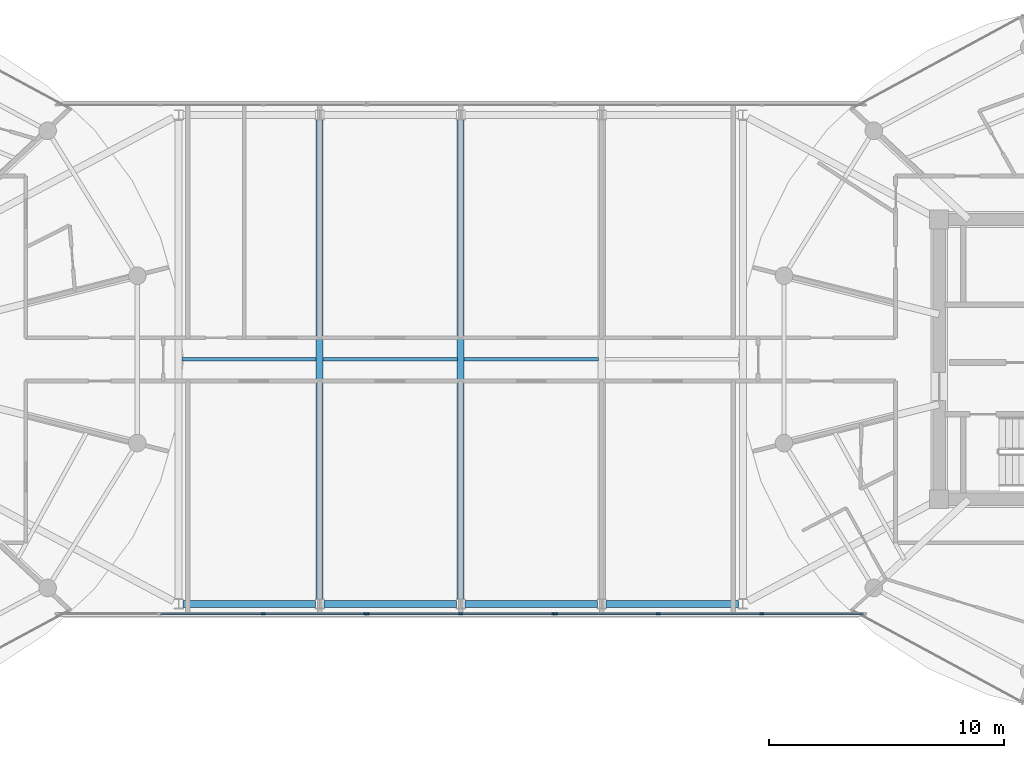
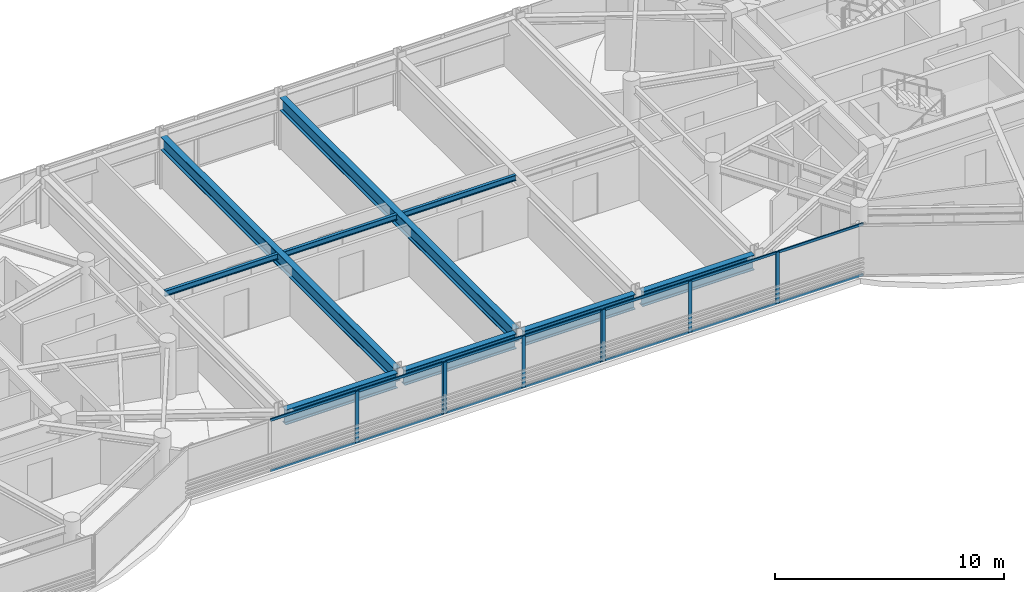
# One storey, part 6 of 23: 22 members, 9 beams, 3 elements without a shape of their own.
"""IFC4 building model written with IfcOpenShell, lengths in metres."""

import ifcopenshell
import ifcopenshell.guid

model = None  # the IFC model being written
_history = None  # IfcOwnerHistory: only IFC2X3 demands one
_inside = {}  # id of a spatial element -> (the spatial element, [elements in it])
_under = {}  # id of a project, library or spatial element -> (it, [spatial elements below it])
_declared = {}  # id of a project -> (the project, [libraries it declares])
_typed = {}  # id of a type object -> (the type object, [elements of that type])
_made_of = {}  # id of a material, layer set ... -> (it, [elements and type objects made of it])


def new_model(schema):
    """Start an empty IFC model of exactly this schema.

    Asked for "IFC4X3", IfcOpenShell would pick the latest addendum, in which some entities
    have other attributes; the version numbers below select the first issue.
    IFC2X3 requires an IfcOwnerHistory on every rooted entity: one is made here for all.
    """
    global model, _history
    if schema == "IFC4X3":
        model = ifcopenshell.file(schema_version=(4, 3, 0, 0))
    else:
        model = ifcopenshell.file(schema=schema)
    _inside.clear()
    _under.clear()
    _declared.clear()
    _typed.clear()
    _made_of.clear()
    _history = None
    if model.schema == "IFC2X3":
        org = make("IfcOrganization", Name="unknown")
        user = make(
            "IfcPersonAndOrganization",
            ThePerson=make("IfcPerson", FamilyName="unknown"),
            TheOrganization=org,
        )
        app = make(
            "IfcApplication",
            ApplicationDeveloper=org,
            Version="unknown",
            ApplicationFullName="unknown",
            ApplicationIdentifier="unknown",
        )
        _history = make(
            "IfcOwnerHistory",
            OwningUser=user,
            OwningApplication=app,
            ChangeAction="ADDED",
            CreationDate=0,
        )
    return model


def make(cls, **values):
    """One entity of the class cls with the attributes given. An attribute that is None is left unset."""
    return model.create_entity(
        cls, **{name: value for name, value in values.items() if value is not None}
    )


def rooted(cls, **values):
    """An entity with a GlobalId (a new one), such as an element, a storey or a relation."""
    return make(cls, GlobalId=ifcopenshell.guid.new(), OwnerHistory=_history, **values)


def si_unit(unit_type, name, prefix=None):
    """IfcSIUnit, for example si_unit("LENGTHUNIT", "METRE", prefix="MILLI")."""
    return make("IfcSIUnit", UnitType=unit_type, Prefix=prefix, Name=name)


def assignment(units):
    """IfcUnitAssignment: the units of a project."""
    return None if units is None else make("IfcUnitAssignment", Units=units)


def point(xyz):
    """IfcCartesianPoint."""
    return None if xyz is None else make("IfcCartesianPoint", Coordinates=xyz)


def direction(xyz):
    """IfcDirection."""
    return None if xyz is None else make("IfcDirection", DirectionRatios=xyz)


def frame(location, z_axis=None, x_axis=None):
    """IfcAxis2Placement3D, a coordinate frame: its origin and axes. An axis left out is left unset."""
    return make(
        "IfcAxis2Placement3D",
        Location=point(location),
        Axis=direction(z_axis),
        RefDirection=direction(x_axis),
    )


def frame_2d(location, x_axis=None):
    """IfcAxis2Placement2D, a coordinate frame in the plane: its origin and x axis."""
    return make(
        "IfcAxis2Placement2D", Location=point(location), RefDirection=direction(x_axis)
    )


def origin():
    """The frame at (0, 0, 0) with its axes left unset."""
    return frame((0.0, 0.0, 0.0))


def origin_2d():
    """The frame at (0, 0) in the plane with its x axis left unset."""
    return frame_2d((0.0, 0.0))


def place(relative_to, where):
    """IfcLocalPlacement: puts the frame where relative to a parent placement (None: the world)."""
    return make(
        "IfcLocalPlacement", PlacementRelTo=relative_to, RelativePlacement=where
    )


def context(
    kind, dimensions, precision=None, world=None, true_north=None, identifier=None
):
    """IfcGeometricRepresentationContext, for example the 3D "Model" context."""
    return make(
        "IfcGeometricRepresentationContext",
        ContextIdentifier=identifier,
        ContextType=kind,
        CoordinateSpaceDimension=dimensions,
        Precision=precision,
        WorldCoordinateSystem=world,
        TrueNorth=true_north,
    )


def subcontext(parent, identifier, kind, view, scale=None):
    """IfcGeometricRepresentationSubContext, for example "Body" below "Model"."""
    return make(
        "IfcGeometricRepresentationSubContext",
        ContextIdentifier=identifier,
        ContextType=kind,
        ParentContext=parent,
        TargetScale=scale,
        TargetView=view,
    )


def project(units=None, contexts=None):
    """IfcProject with its units and contexts."""
    return rooted(
        "IfcProject",
        Name="project",
        RepresentationContexts=contexts,
        UnitsInContext=assignment(units),
    )


def spatial(cls, under=None, at=None, **own):
    """A site, building, storey or space (cls), placed at a placement, below another one or the project."""
    s = rooted(cls, ObjectPlacement=at, **own)
    if under is not None:
        _under.setdefault(under.id(), (under, []))[1].append(s)
    return s


def profile(cls, at=None, kind="AREA", **sizes):
    """A parametric profile (cls). Its sizes go by their IFC names, for example OverallWidth=200.0."""
    return make(cls, ProfileType=kind, Position=at, **sizes)


def rectangle(**sizes):
    """IfcRectangleProfileDef."""
    return profile("IfcRectangleProfileDef", **sizes)


def i_section(**sizes):
    """IfcIShapeProfileDef."""
    return profile("IfcIShapeProfileDef", **sizes)


def extrude(swept, where, along, depth):
    """IfcExtrudedAreaSolid: the profile swept, set in the frame where, extruded along a direction by depth."""
    return make(
        "IfcExtrudedAreaSolid",
        SweptArea=swept,
        Position=where,
        ExtrudedDirection=direction(along),
        Depth=depth,
    )


def shape(context_of_items, identifier, shape_type, items):
    """IfcShapeRepresentation: the items that make up one representation, for example the "Body"."""
    return make(
        "IfcShapeRepresentation",
        ContextOfItems=context_of_items,
        RepresentationIdentifier=identifier,
        RepresentationType=shape_type,
        Items=items,
    )


def source(mapping_origin, context_of_items, identifier, shape_type, items):
    """IfcRepresentationMap: a shape defined once, which mapped items show again and again."""
    return make(
        "IfcRepresentationMap",
        MappingOrigin=mapping_origin,
        MappedRepresentation=shape(context_of_items, identifier, shape_type, items),
    )


def transform(
    local_origin,
    x_axis=None,
    y_axis=None,
    z_axis=None,
    scale=None,
    scale2=None,
    scale3=None,
    uniform=True,
):
    """IfcCartesianTransformationOperator3D, or its non-uniform kind. x_axis, y_axis, z_axis: its Axis1, 2, 3."""
    if uniform:
        return make(
            "IfcCartesianTransformationOperator3D",
            Axis1=direction(x_axis),
            Axis2=direction(y_axis),
            LocalOrigin=point(local_origin),
            Scale=scale,
            Axis3=direction(z_axis),
        )
    return make(
        "IfcCartesianTransformationOperator3DnonUniform",
        Axis1=direction(x_axis),
        Axis2=direction(y_axis),
        LocalOrigin=point(local_origin),
        Scale=scale,
        Axis3=direction(z_axis),
        Scale2=scale2,
        Scale3=scale3,
    )


def mapped(mapping_source, mapping_target):
    """IfcMappedItem: shows the shape of a source again, moved by a transform."""
    return make(
        "IfcMappedItem", MappingSource=mapping_source, MappingTarget=mapping_target
    )


def material(Name=None, Category=None):
    """IfcMaterial."""
    return make("IfcMaterial", Name=Name, Category=Category)


def layer(
    of_material, thickness, ventilated=None, Name=None, Category=None, Priority=None
):
    """IfcMaterialLayer: one layer of a wall or slab, of a material (None: an air gap)."""
    return make(
        "IfcMaterialLayer",
        Material=of_material,
        LayerThickness=thickness,
        IsVentilated=ventilated,
        Name=Name,
        Category=Category,
        Priority=Priority,
    )


def layer_set(layers, Name=None):
    """IfcMaterialLayerSet."""
    return make("IfcMaterialLayerSet", MaterialLayers=layers, LayerSetName=Name)


def material_profile(
    of_material, cross_section, Name=None, Category=None, Priority=None
):
    """IfcMaterialProfile: a cross section and its material."""
    return make(
        "IfcMaterialProfile",
        Name=Name,
        Material=of_material,
        Profile=cross_section,
        Priority=Priority,
        Category=Category,
    )


def profile_set(profiles, Name=None, composite=None):
    """IfcMaterialProfileSet."""
    return make(
        "IfcMaterialProfileSet",
        Name=Name,
        MaterialProfiles=profiles,
        CompositeProfile=composite,
    )


def made_of(thing, what):
    """Note that an element or type object is made of a material, layer set ...; save() writes the relation."""
    if what is not None:
        _made_of.setdefault(what.id(), (what, []))[1].append(thing)
    return thing


def type_object(cls, material=None, **own):
    """A type object (cls), such as IfcWallType, which elements share."""
    return made_of(rooted(cls, **own), material)


def type_shapes(of_type, sources):
    """Give a type object the sources (RepresentationMaps) that its elements show as mapped items."""
    of_type.RepresentationMaps = sources


def element(
    cls,
    number,
    at=None,
    inside=None,
    cuts=None,
    type_object=None,
    material=None,
    context=None,
    identifier="Body",
    shape_type=None,
    held_by="IfcProductDefinitionShape",
    body=None,
    shapes=None,
    **own,
):
    """One element of the class cls, such as IfcWall. Its Tag is "e" and its number.

    at: its placement. inside: the storey or other place that contains it. cuts: it is an
    opening in that element (IfcRelVoidsElement). A single representation is given by context,
    identifier, shape_type and body (its items); several are given by shapes. held_by: the class
    of the entity that holds the representations. save() writes the other relations.
    """
    e = rooted(cls, Tag="e%d" % number, ObjectPlacement=at, **own)
    if body is not None:
        shapes = [shape(context, identifier, shape_type, body)]
    if shapes is not None:
        e.Representation = make(held_by, Representations=shapes)
    if inside is not None:
        _inside.setdefault(inside.id(), (inside, []))[1].append(e)
    if cuts is not None:
        rooted(
            "IfcRelVoidsElement", RelatingBuildingElement=cuts, RelatedOpeningElement=e
        )
    if type_object is not None:
        _typed.setdefault(type_object.id(), (type_object, []))[1].append(e)
    return made_of(e, material)


def aggregate(whole, parts):
    """IfcRelAggregates: a whole, such as a stair, and the parts it consists of."""
    return rooted("IfcRelAggregates", RelatingObject=whole, RelatedObjects=parts)


def save(model, path):
    """Write the relations noted so far, then the file.

    IfcRelAggregates (storeys below a building ...), IfcRelContainedInSpatialStructure (elements
    in a storey), IfcRelDefinesByType, IfcRelAssociatesMaterial and IfcRelDeclares: one each for
    every whole, place, type object, material and project.
    """
    for whole, parts in _under.values():
        aggregate(whole, parts)
    for where, things in _inside.values():
        rooted(
            "IfcRelContainedInSpatialStructure",
            RelatedElements=things,
            RelatingStructure=where,
        )
    for kind, things in _typed.values():
        rooted("IfcRelDefinesByType", RelatedObjects=things, RelatingType=kind)
    for what, things in _made_of.values():
        rooted("IfcRelAssociatesMaterial", RelatedObjects=things, RelatingMaterial=what)
    for by, libraries in _declared.values():
        rooted("IfcRelDeclares", RelatingContext=by, RelatedDefinitions=libraries)
    model.write(path)


model = new_model("IFC4")

# Units and contexts
model_context = context("Model", 3, precision=1e-05, world=origin(), true_north=direction((0.0, 1.0)))
body_context = subcontext(model_context, "Body", "Model", "MODEL_VIEW")
ifc_project = project(units=[si_unit("LENGTHUNIT", "METRE"), si_unit("AREAUNIT", "SQUARE_METRE"), si_unit("VOLUMEUNIT", "CUBIC_METRE"), si_unit("PLANEANGLEUNIT", "RADIAN"), si_unit("MASSUNIT", "GRAM", prefix="KILO")], contexts=[model_context])

# Site, building, storey
site_placement = place(None, origin())
site = spatial("IfcSite", under=ifc_project, at=site_placement, CompositionType="ELEMENT")
building_placement = place(site_placement, origin())
building = spatial("IfcBuilding", under=site, at=building_placement, Name="Norrkilde Senior Care Towers", CompositionType="ELEMENT")
storey_placement = place(building_placement, frame((0.0, 0.0, 207.800048828125)))
storey = spatial("IfcBuildingStorey", under=building, at=storey_placement, Name="L64", CompositionType="ELEMENT", Elevation=207.800048828125)

# Beams
ifc_material_1 = material(Name="Steel S355", Category="steel")
ifc_material_profile_1 = material_profile(ifc_material_1, i_section(OverallWidth=0.300048828125, OverallDepth=0.699951171875, WebThickness=0.01708984375, FlangeThickness=0.031982421875, FilletRadius=0.027099609375, at=origin_2d()), Name="HEB 700")
ifc_profile_set_1 = profile_set([ifc_material_profile_1], Name="Steel S355")
beam_type_1 = type_object("IfcBeamType", Name="Bridge Cross Girder HEB700", PredefinedType="USERDEFINED", material=ifc_profile_set_1)
shared_shape_1 = source(origin(), body_context, "Body", "SweptSolid", [
    extrude(i_section(OverallWidth=0.300048828125, OverallDepth=0.699951171875, WebThickness=0.01708984375, FlangeThickness=0.031982421875, FilletRadius=0.027099609375, at=origin_2d()), origin(), (0.0, 0.0, 1.0), 20.43994140625),
])
type_shapes(beam_type_1, [shared_shape_1])
for number, where, z_axis, x_axis, name in (
    (1, (-6.0, -10.219970703125, 2.409912109375), (0.0, 1.0, 0.0), (-1.0, 0.0, 0.0), "L64 Sky-Gate Bridge Cross Girder -6"),
    (2, (0.0, -10.219970703125, 2.409912109375), (0.0, 1.0, 0.0), (-1.0, 0.0, 0.0), "L64 Sky-Gate Bridge Cross Girder +0"),
):
    element("IfcBeam", number, at=place(storey_placement, frame(where, z_axis=z_axis, x_axis=x_axis)), inside=storey, type_object=beam_type_1, Name=name, ObjectType="GIRDER", PredefinedType="USERDEFINED", context=body_context, shape_type="MappedRepresentation", body=[
        mapped(shared_shape_1, transform((0.0, 0.0, 0.0), x_axis=(1.0, 0.0, 0.0), y_axis=(0.0, 1.0, 0.0), z_axis=(0.0, 0.0, 1.0), scale=1.0)),
    ])
ifc_material_profile_2 = material_profile(ifc_material_1, i_section(OverallWidth=0.300048828125, OverallDepth=0.800048828125, WebThickness=0.017578125, FlangeThickness=0.032958984375, FilletRadius=0.030029296875, at=origin_2d()), Name="HEB 800")
ifc_profile_set_2 = profile_set([ifc_material_profile_2], Name="Steel S355")
beam_type_2 = type_object("IfcBeamType", Name="Bridge Floor Girder HEB800", PredefinedType="USERDEFINED", material=ifc_profile_set_2)
shared_shape_2 = source(origin(), body_context, "Body", "SweptSolid", [
    extrude(i_section(OverallWidth=0.300048828125, OverallDepth=0.800048828125, WebThickness=0.017578125, FlangeThickness=0.032958984375, FilletRadius=0.030029296875, at=origin_2d()), origin(), (0.0, 0.0, 1.0), 5.64013671875),
])
type_shapes(beam_type_2, [shared_shape_2])
for number, where, z_axis, x_axis, name in (
    (3, (-11.820068359375, -10.39990234375, 2.35986328125), (1.0, 0.0, 0.0), (0.0, 1.0, 0.0), "L64 Sky-Gate Bridge Girder S2"),
    (4, (-5.820068359375, -10.39990234375, 2.35986328125), (1.0, 0.0, 0.0), (0.0, 1.0, 0.0), "L64 Sky-Gate Bridge Girder S3"),
    (5, (0.179931640625, -10.39990234375, 2.35986328125), (1.0, 0.0, 0.0), (0.0, 1.0, 0.0), "L64 Sky-Gate Bridge Girder S4"),
    (6, (6.179931640625, -10.39990234375, 2.35986328125), (1.0, 0.0, 0.0), (0.0, 1.0, 0.0), "L64 Sky-Gate Bridge Girder S5"),
):
    element("IfcBeam", number, at=place(storey_placement, frame(where, z_axis=z_axis, x_axis=x_axis)), inside=storey, type_object=beam_type_2, Name=name, ObjectType="GIRDER", PredefinedType="USERDEFINED", context=body_context, shape_type="MappedRepresentation", body=[
        mapped(shared_shape_2, transform((0.0, 0.0, 0.0), x_axis=(1.0, 0.0, 0.0), y_axis=(0.0, 1.0, 0.0), z_axis=(0.0, 0.0, 1.0), scale=1.0)),
    ])
ifc_material_profile_3 = material_profile(ifc_material_1, i_section(OverallWidth=0.14990234375, OverallDepth=0.300048828125, WebThickness=0.007080078125, FlangeThickness=0.0107421875, FilletRadius=0.014892578125, at=origin_2d()), Name="IPE 300")
ifc_profile_set_3 = profile_set([ifc_material_profile_3], Name="Steel S355")
beam_type_3 = type_object("IfcBeamType", Name="Bridge Deck Joist IPE300", PredefinedType="JOIST", material=ifc_profile_set_3)
shared_shape_3 = source(origin(), body_context, "Body", "SweptSolid", [
    extrude(i_section(OverallWidth=0.14990234375, OverallDepth=0.300048828125, WebThickness=0.007080078125, FlangeThickness=0.0107421875, FilletRadius=0.014892578125, at=origin_2d()), origin(), (0.0, 0.0, 1.0), 5.7099609375),
])
type_shapes(beam_type_3, [shared_shape_3])
for number, where, z_axis, x_axis, name in (
    (7, (-11.85498046875, 0.0, 2.60986328125), (1.0, 0.0, 0.0), (0.0, 1.0, 0.0), "L64 Bridge Deck Joist 1"),
    (8, (-5.85498046875, 0.0, 2.60986328125), (1.0, 0.0, 0.0), (0.0, 1.0, 0.0), "L64 Bridge Deck Joist 2"),
    (9, (0.14501953125, 0.0, 2.60986328125), (1.0, 0.0, 0.0), (0.0, 1.0, 0.0), "L64 Bridge Deck Joist 3"),
):
    element("IfcBeam", number, at=place(storey_placement, frame(where, z_axis=z_axis, x_axis=x_axis)), inside=storey, type_object=beam_type_3, Name=name, PredefinedType="JOIST", context=body_context, shape_type="MappedRepresentation", body=[
        mapped(shared_shape_3, transform((0.0, 0.0, 0.0), x_axis=(1.0, 0.0, 0.0), y_axis=(0.0, 1.0, 0.0), z_axis=(0.0, 0.0, 1.0), scale=1.0)),
    ])

# Curtain wall, members
ifc_material_2 = material(Name="Triple Low-E Insulated Glazing", Category="glass")
ifc_layer = layer(ifc_material_2, 0.2099609375)
ifc_layer_set = layer_set([ifc_layer], Name="Triple Low-E Insulated Glazing")
curtain_wall_type = type_object("IfcCurtainWallType", Name="CW5 Sky-Gate Bridge Curtain Wall", PredefinedType="NOTDEFINED", material=ifc_layer_set)
curtain_wall_1_placement = place(storey_placement, origin())
curtain_wall_1 = element("IfcCurtainWall", 10, at=curtain_wall_1_placement, inside=storey, type_object=curtain_wall_type, Name="L64 Sky-Gate Bridge South Curtain Wall 1", PredefinedType="NOTDEFINED")
ifc_material_3 = material(Name="Anodised Aluminium", Category="aluminium")
ifc_material_profile_4 = material_profile(ifc_material_3, rectangle(XDim=0.06494140625, YDim=0.1298828125, at=origin_2d()), Name="ALU TRAN 65x130")
ifc_profile_set_4 = profile_set([ifc_material_profile_4], Name="Anodised Aluminium")
member_type_1 = type_object("IfcMemberType", Name="Curtain Wall Transom Heavy 65x130", PredefinedType="USERDEFINED", material=ifc_profile_set_4)
shared_shape_4 = source(origin(), body_context, "Body", "SweptSolid", [
    extrude(rectangle(XDim=0.06494140625, YDim=0.1298828125, at=origin_2d()), origin(), (0.0, 0.0, 1.0), 4.294921875),
])
member_1_placement = place(storey_placement, frame((17.1298828125, -10.820068359375, 0.032470703125), z_axis=(-1.0, 0.0, 0.0), x_axis=(0.0, -1.0, 0.0)))
member_1 = element("IfcMember", 11, at=member_1_placement, type_object=member_type_1, Name="CW-5 transom 1.1", ObjectType="TRANSOM", PredefinedType="USERDEFINED", context=body_context, shape_type="MappedRepresentation", body=[
    mapped(shared_shape_4, transform((0.0, 0.0, 0.0), x_axis=(1.0, 0.0, 0.0), y_axis=(0.0, 1.0, 0.0), z_axis=(0.0, 0.0, 1.0), scale=1.0)),
])
member_2_placement = place(storey_placement, frame((17.1298828125, -10.820068359375, 2.7275390625), z_axis=(-1.0, 0.0, 0.0), x_axis=(0.0, -1.0, 0.0)))
member_2 = element("IfcMember", 12, at=member_2_placement, type_object=member_type_1, Name="CW-5 transom 1.2", ObjectType="TRANSOM", PredefinedType="USERDEFINED", context=body_context, shape_type="MappedRepresentation", body=[
    mapped(shared_shape_4, transform((0.0, 0.0, 0.0), x_axis=(1.0, 0.0, 0.0), y_axis=(0.0, 1.0, 0.0), z_axis=(0.0, 0.0, 1.0), scale=1.0)),
])
member_3_placement = place(storey_placement, frame((8.364990234375, -10.820068359375, 0.032470703125), z_axis=(-1.0, 0.0, 0.0), x_axis=(0.0, -1.0, 0.0)))
member_3 = element("IfcMember", 13, at=member_3_placement, type_object=member_type_1, Name="CW-5 transom 3.1", ObjectType="TRANSOM", PredefinedType="USERDEFINED", context=body_context, shape_type="MappedRepresentation", body=[
    mapped(shared_shape_4, transform((0.0, 0.0, 0.0), x_axis=(1.0, 0.0, 0.0), y_axis=(0.0, 1.0, 0.0), z_axis=(0.0, 0.0, 1.0), scale=1.0)),
])
member_4_placement = place(storey_placement, frame((8.364990234375, -10.820068359375, 2.7275390625), z_axis=(-1.0, 0.0, 0.0), x_axis=(0.0, -1.0, 0.0)))
member_4 = element("IfcMember", 14, at=member_4_placement, type_object=member_type_1, Name="CW-5 transom 3.2", ObjectType="TRANSOM", PredefinedType="USERDEFINED", context=body_context, shape_type="MappedRepresentation", body=[
    mapped(shared_shape_4, transform((0.0, 0.0, 0.0), x_axis=(1.0, 0.0, 0.0), y_axis=(0.0, 1.0, 0.0), z_axis=(0.0, 0.0, 1.0), scale=1.0)),
])

curtain_wall_2_placement = place(storey_placement, origin())
curtain_wall_2 = element("IfcCurtainWall", 15, at=curtain_wall_2_placement, inside=storey, type_object=curtain_wall_type, Name="L64 Sky-Gate Bridge South Curtain Wall 3", PredefinedType="NOTDEFINED")
member_5_placement = place(storey_placement, frame((-4.070068359375, -10.820068359375, 0.032470703125), z_axis=(-1.0, 0.0, 0.0), x_axis=(0.0, -1.0, 0.0)))
member_5 = element("IfcMember", 16, at=member_5_placement, type_object=member_type_1, Name="CW-5 transom 1.1", ObjectType="TRANSOM", PredefinedType="USERDEFINED", context=body_context, shape_type="MappedRepresentation", body=[
    mapped(shared_shape_4, transform((0.0, 0.0, 0.0), x_axis=(1.0, 0.0, 0.0), y_axis=(0.0, 1.0, 0.0), z_axis=(0.0, 0.0, 1.0), scale=1.0)),
])
member_6_placement = place(storey_placement, frame((-4.070068359375, -10.820068359375, 2.7275390625), z_axis=(-1.0, 0.0, 0.0), x_axis=(0.0, -1.0, 0.0)))
member_6 = element("IfcMember", 17, at=member_6_placement, type_object=member_type_1, Name="CW-5 transom 1.2", ObjectType="TRANSOM", PredefinedType="USERDEFINED", context=body_context, shape_type="MappedRepresentation", body=[
    mapped(shared_shape_4, transform((0.0, 0.0, 0.0), x_axis=(1.0, 0.0, 0.0), y_axis=(0.0, 1.0, 0.0), z_axis=(0.0, 0.0, 1.0), scale=1.0)),
])

# Member
shared_shape_5 = source(origin(), body_context, "Body", "SweptSolid", [
    extrude(rectangle(XDim=0.06494140625, YDim=0.1298828125, at=origin_2d()), origin(), (0.0, 0.0, 1.0), 4.329833984375),
])
member_7_placement = place(storey_placement, frame((12.764892578125, -10.820068359375, 0.032470703125), z_axis=(-1.0, 0.0, 0.0), x_axis=(0.0, -1.0, 0.0)))
member_7 = element("IfcMember", 18, at=member_7_placement, type_object=member_type_1, Name="CW-5 transom 2.1", ObjectType="TRANSOM", PredefinedType="USERDEFINED", context=body_context, shape_type="MappedRepresentation", body=[
    mapped(shared_shape_5, transform((0.0, 0.0, 0.0), x_axis=(1.0, 0.0, 0.0), y_axis=(0.0, 1.0, 0.0), z_axis=(0.0, 0.0, 1.0), scale=1.0)),
])

member_8_placement = place(storey_placement, frame((12.764892578125, -10.820068359375, 2.7275390625), z_axis=(-1.0, 0.0, 0.0), x_axis=(0.0, -1.0, 0.0)))
member_8 = element("IfcMember", 19, at=member_8_placement, type_object=member_type_1, Name="CW-5 transom 2.2", ObjectType="TRANSOM", PredefinedType="USERDEFINED", context=body_context, shape_type="MappedRepresentation", body=[
    mapped(shared_shape_5, transform((0.0, 0.0, 0.0), x_axis=(1.0, 0.0, 0.0), y_axis=(0.0, 1.0, 0.0), z_axis=(0.0, 0.0, 1.0), scale=1.0)),
])

member_9_placement = place(storey_placement, frame((-8.43505859375, -10.820068359375, 0.032470703125), z_axis=(-1.0, 0.0, 0.0), x_axis=(0.0, -1.0, 0.0)))
member_9 = element("IfcMember", 20, at=member_9_placement, type_object=member_type_1, Name="CW-5 transom 2.1", ObjectType="TRANSOM", PredefinedType="USERDEFINED", context=body_context, shape_type="MappedRepresentation", body=[
    mapped(shared_shape_5, transform((0.0, 0.0, 0.0), x_axis=(1.0, 0.0, 0.0), y_axis=(0.0, 1.0, 0.0), z_axis=(0.0, 0.0, 1.0), scale=1.0)),
])

member_10_placement = place(storey_placement, frame((-8.43505859375, -10.820068359375, 2.7275390625), z_axis=(-1.0, 0.0, 0.0), x_axis=(0.0, -1.0, 0.0)))
member_10 = element("IfcMember", 21, at=member_10_placement, type_object=member_type_1, Name="CW-5 transom 2.2", ObjectType="TRANSOM", PredefinedType="USERDEFINED", context=body_context, shape_type="MappedRepresentation", body=[
    mapped(shared_shape_5, transform((0.0, 0.0, 0.0), x_axis=(1.0, 0.0, 0.0), y_axis=(0.0, 1.0, 0.0), z_axis=(0.0, 0.0, 1.0), scale=1.0)),
])

# Curtain wall, members
curtain_wall_3_placement = place(storey_placement, origin())
curtain_wall_3 = element("IfcCurtainWall", 22, at=curtain_wall_3_placement, inside=storey, type_object=curtain_wall_type, Name="L64 Sky-Gate Bridge South Curtain Wall 2", PredefinedType="NOTDEFINED")
shared_shape_6 = source(origin(), body_context, "Body", "SweptSolid", [
    extrude(rectangle(XDim=0.06494140625, YDim=0.1298828125, at=origin_2d()), origin(), (0.0, 0.0, 1.0), 3.89501953125),
])
type_shapes(member_type_1, [shared_shape_4, shared_shape_5, shared_shape_6])
member_11_placement = place(storey_placement, frame((3.929931640625, -10.820068359375, 0.032470703125), z_axis=(-1.0, 0.0, 0.0), x_axis=(0.0, -1.0, 0.0)))
member_11 = element("IfcMember", 23, at=member_11_placement, type_object=member_type_1, Name="CW-5 transom 1.1", ObjectType="TRANSOM", PredefinedType="USERDEFINED", context=body_context, shape_type="MappedRepresentation", body=[
    mapped(shared_shape_6, transform((0.0, 0.0, 0.0), x_axis=(1.0, 0.0, 0.0), y_axis=(0.0, 1.0, 0.0), z_axis=(0.0, 0.0, 1.0), scale=1.0)),
])
member_12_placement = place(storey_placement, frame((3.929931640625, -10.820068359375, 2.7275390625), z_axis=(-1.0, 0.0, 0.0), x_axis=(0.0, -1.0, 0.0)))
member_12 = element("IfcMember", 24, at=member_12_placement, type_object=member_type_1, Name="CW-5 transom 1.2", ObjectType="TRANSOM", PredefinedType="USERDEFINED", context=body_context, shape_type="MappedRepresentation", body=[
    mapped(shared_shape_6, transform((0.0, 0.0, 0.0), x_axis=(1.0, 0.0, 0.0), y_axis=(0.0, 1.0, 0.0), z_axis=(0.0, 0.0, 1.0), scale=1.0)),
])
member_13_placement = place(storey_placement, frame((-0.034912109375, -10.820068359375, 0.032470703125), z_axis=(-1.0, 0.0, 0.0), x_axis=(0.0, -1.0, 0.0)))
member_13 = element("IfcMember", 25, at=member_13_placement, type_object=member_type_1, Name="CW-5 transom 2.1", ObjectType="TRANSOM", PredefinedType="USERDEFINED", context=body_context, shape_type="MappedRepresentation", body=[
    mapped(shared_shape_6, transform((0.0, 0.0, 0.0), x_axis=(1.0, 0.0, 0.0), y_axis=(0.0, 1.0, 0.0), z_axis=(0.0, 0.0, 1.0), scale=1.0)),
])
member_14_placement = place(storey_placement, frame((-0.034912109375, -10.820068359375, 2.7275390625), z_axis=(-1.0, 0.0, 0.0), x_axis=(0.0, -1.0, 0.0)))
member_14 = element("IfcMember", 26, at=member_14_placement, type_object=member_type_1, Name="CW-5 transom 2.2", ObjectType="TRANSOM", PredefinedType="USERDEFINED", context=body_context, shape_type="MappedRepresentation", body=[
    mapped(shared_shape_6, transform((0.0, 0.0, 0.0), x_axis=(1.0, 0.0, 0.0), y_axis=(0.0, 1.0, 0.0), z_axis=(0.0, 0.0, 1.0), scale=1.0)),
])

# Member
ifc_material_profile_5 = material_profile(ifc_material_3, rectangle(XDim=0.070068359375, YDim=0.169921875, at=origin_2d()), Name="ALU MULL 70x170")
ifc_profile_set_5 = profile_set([ifc_material_profile_5], Name="Anodised Aluminium")
member_type_2 = type_object("IfcMemberType", Name="Curtain Wall Mullion Heavy 70x170", PredefinedType="MULLION", material=ifc_profile_set_5)
shared_shape_7 = source(origin(), body_context, "Body", "SweptSolid", [
    extrude(rectangle(XDim=0.070068359375, YDim=0.169921875, at=origin_2d()), origin(), (0.0, 0.0, 1.0), 2.760009765625),
])
type_shapes(member_type_2, [shared_shape_7])
member_15_placement = place(storey_placement, frame((12.800048828125, -10.820068359375, 0.0), z_axis=(0.0, 0.0, 1.0), x_axis=(0.0, -1.0, 0.0)))
member_15 = element("IfcMember", 27, at=member_15_placement, type_object=member_type_2, Name="CW-5 mullion 2", PredefinedType="MULLION", context=body_context, shape_type="MappedRepresentation", body=[
    mapped(shared_shape_7, transform((0.0, 0.0, 0.0), x_axis=(1.0, 0.0, 0.0), y_axis=(0.0, 1.0, 0.0), z_axis=(0.0, 0.0, 1.0), scale=1.0)),
])

member_16_placement = place(storey_placement, frame((8.39990234375, -10.820068359375, 0.0), z_axis=(0.0, 0.0, 1.0), x_axis=(0.0, -1.0, 0.0)))
member_16 = element("IfcMember", 28, at=member_16_placement, type_object=member_type_2, Name="CW-5 mullion 3", PredefinedType="MULLION", context=body_context, shape_type="MappedRepresentation", body=[
    mapped(shared_shape_7, transform((0.0, 0.0, 0.0), x_axis=(1.0, 0.0, 0.0), y_axis=(0.0, 1.0, 0.0), z_axis=(0.0, 0.0, 1.0), scale=1.0)),
])

member_17_placement = place(storey_placement, frame((4.034912109375, -10.820068359375, 0.0), z_axis=(0.0, 0.0, 1.0), x_axis=(0.0, -1.0, 0.0)))
member_17 = element("IfcMember", 29, at=member_17_placement, type_object=member_type_2, Name="CW-5 mullion 4", PredefinedType="MULLION", context=body_context, shape_type="MappedRepresentation", body=[
    mapped(shared_shape_7, transform((0.0, 0.0, 0.0), x_axis=(1.0, 0.0, 0.0), y_axis=(0.0, 1.0, 0.0), z_axis=(0.0, 0.0, 1.0), scale=1.0)),
])

aggregate(curtain_wall_1, [member_15, member_16, member_17, member_1, member_2, member_7, member_8, member_3, member_4])

member_18_placement = place(storey_placement, frame((3.965087890625, -10.820068359375, 0.0), z_axis=(0.0, 0.0, 1.0), x_axis=(0.0, -1.0, 0.0)))
member_18 = element("IfcMember", 30, at=member_18_placement, type_object=member_type_2, Name="CW-5 mullion 1", PredefinedType="MULLION", context=body_context, shape_type="MappedRepresentation", body=[
    mapped(shared_shape_7, transform((0.0, 0.0, 0.0), x_axis=(1.0, 0.0, 0.0), y_axis=(0.0, 1.0, 0.0), z_axis=(0.0, 0.0, 1.0), scale=1.0)),
])

member_19_placement = place(storey_placement, frame((0.0, -10.820068359375, 0.0), z_axis=(0.0, 0.0, 1.0), x_axis=(0.0, -1.0, 0.0)))
member_19 = element("IfcMember", 31, at=member_19_placement, type_object=member_type_2, Name="CW-5 mullion 2", PredefinedType="MULLION", context=body_context, shape_type="MappedRepresentation", body=[
    mapped(shared_shape_7, transform((0.0, 0.0, 0.0), x_axis=(1.0, 0.0, 0.0), y_axis=(0.0, 1.0, 0.0), z_axis=(0.0, 0.0, 1.0), scale=1.0)),
])

member_20_placement = place(storey_placement, frame((-3.965087890625, -10.820068359375, 0.0), z_axis=(0.0, 0.0, 1.0), x_axis=(0.0, -1.0, 0.0)))
member_20 = element("IfcMember", 32, at=member_20_placement, type_object=member_type_2, Name="CW-5 mullion 3", PredefinedType="MULLION", context=body_context, shape_type="MappedRepresentation", body=[
    mapped(shared_shape_7, transform((0.0, 0.0, 0.0), x_axis=(1.0, 0.0, 0.0), y_axis=(0.0, 1.0, 0.0), z_axis=(0.0, 0.0, 1.0), scale=1.0)),
])

aggregate(curtain_wall_3, [member_18, member_19, member_20, member_11, member_12, member_13, member_14])

member_21_placement = place(storey_placement, frame((-4.034912109375, -10.820068359375, 0.0), z_axis=(0.0, 0.0, 1.0), x_axis=(0.0, -1.0, 0.0)))
member_21 = element("IfcMember", 33, at=member_21_placement, type_object=member_type_2, Name="CW-5 mullion 1", PredefinedType="MULLION", context=body_context, shape_type="MappedRepresentation", body=[
    mapped(shared_shape_7, transform((0.0, 0.0, 0.0), x_axis=(1.0, 0.0, 0.0), y_axis=(0.0, 1.0, 0.0), z_axis=(0.0, 0.0, 1.0), scale=1.0)),
])

member_22_placement = place(storey_placement, frame((-8.39990234375, -10.820068359375, 0.0), z_axis=(0.0, 0.0, 1.0), x_axis=(0.0, -1.0, 0.0)))
member_22 = element("IfcMember", 34, at=member_22_placement, type_object=member_type_2, Name="CW-5 mullion 2", PredefinedType="MULLION", context=body_context, shape_type="MappedRepresentation", body=[
    mapped(shared_shape_7, transform((0.0, 0.0, 0.0), x_axis=(1.0, 0.0, 0.0), y_axis=(0.0, 1.0, 0.0), z_axis=(0.0, 0.0, 1.0), scale=1.0)),
])

aggregate(curtain_wall_2, [member_21, member_22, member_5, member_6, member_9, member_10])

save(model, "model.ifc")
